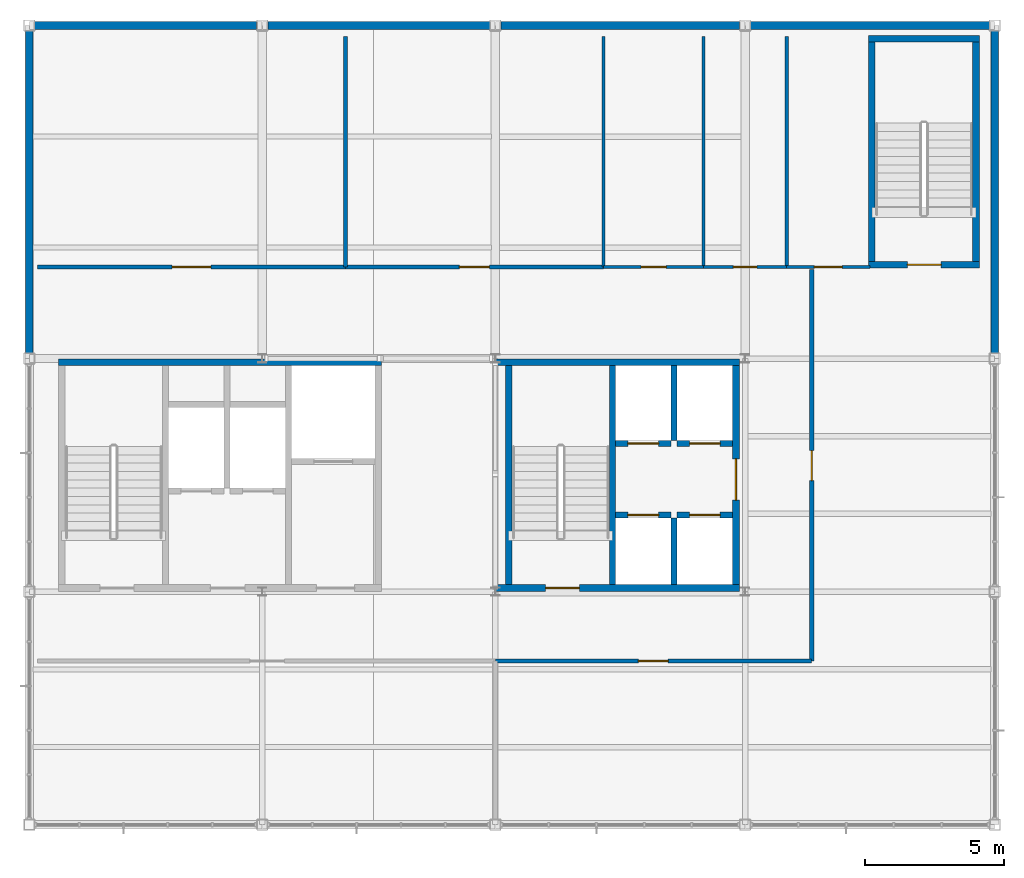
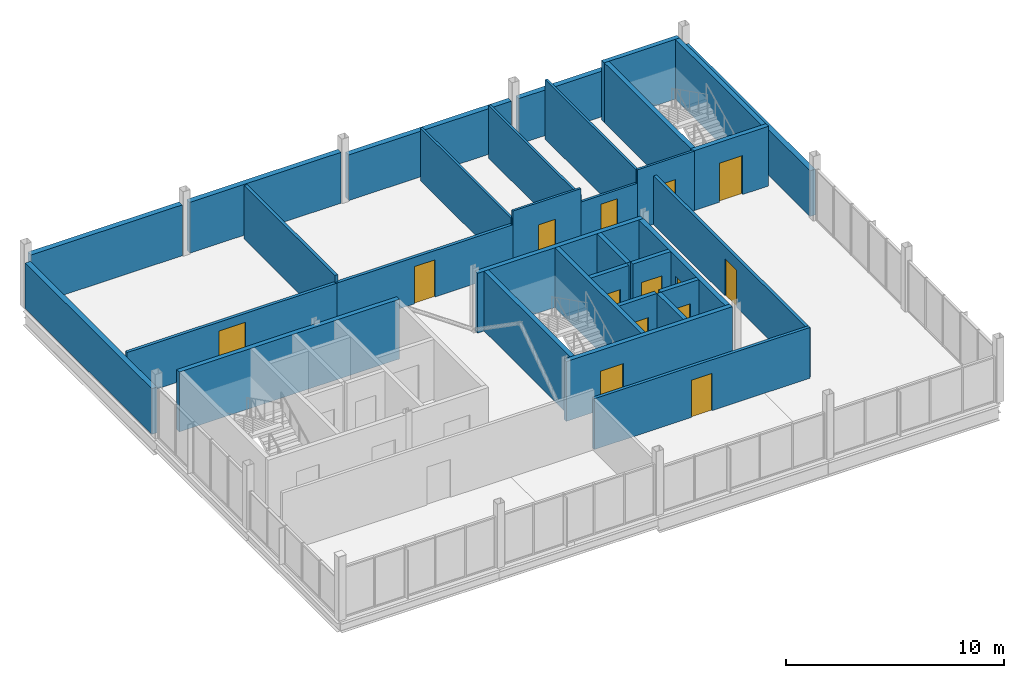
# One storey, part 12 of 15: 33 walls, 14 doors, 14 openings.
"""IFC4 building model written with IfcOpenShell, lengths in metres."""

from ifc_helpers import new_model, si_unit, direction, frame, frame_2d, origin, place, context, subcontext, project, spatial, rectangle, extrude, material, layer, layer_set, type_object, element, fill, save


model = new_model("IFC4")

# Units and contexts
model_context = context("Model", 3, precision=1e-05, world=origin(), true_north=direction((0.0, 1.0)))
body_context = subcontext(model_context, "Body", "Model", "MODEL_VIEW")
ifc_project = project(units=[si_unit("LENGTHUNIT", "METRE"), si_unit("AREAUNIT", "SQUARE_METRE"), si_unit("VOLUMEUNIT", "CUBIC_METRE"), si_unit("PLANEANGLEUNIT", "RADIAN"), si_unit("MASSUNIT", "GRAM", prefix="KILO")], contexts=[model_context])

# Site, building, storey
site_placement = place(None, origin())
site = spatial("IfcSite", under=ifc_project, at=site_placement, CompositionType="ELEMENT")
building_placement = place(site_placement, origin())
building = spatial("IfcBuilding", under=site, at=building_placement, Name="Yukiwa Park Conservatory and Herbarium", CompositionType="ELEMENT")
storey_placement = place(building_placement, frame((0.0, 0.0, 54.0)))
storey = spatial("IfcBuildingStorey", under=building, at=storey_placement, Name="L14", CompositionType="ELEMENT", Elevation=54.0)

# Walls
ifc_material_1 = material(Name="Concrete C40", Category="concrete")
ifc_layer_1 = layer(ifc_material_1, 0.219970703125)
ifc_layer_set_1 = layer_set([ifc_layer_1], Name="Concrete C40")
wall_type_1 = type_object("IfcWallType", Name="WL-CORE-RC220", PredefinedType="SHEAR", material=ifc_layer_set_1)
wall_1_placement = place(storey_placement, frame((154.219970703125, 95.050048828125, 0.0), z_axis=(0.0, 0.0, 1.0), x_axis=(0.0, 1.0, 0.0)))
element("IfcWall", 1, at=wall_1_placement, inside=storey, type_object=wall_type_1, Name="L14 core shear wall 798", PredefinedType="SHEAR", context=body_context, shape_type="SweptSolid", body=[
    extrude(rectangle(XDim=7.89990234375, YDim=0.219970703125, at=frame_2d((3.949951171875, 0.0))), origin(), (0.0, 0.0, 1.0), 3.343994140625),
])
wall_2_placement = place(storey_placement, frame((156.43994140625, 100.25, 0.0), z_axis=(0.0, 0.0, 1.0), x_axis=(0.0, 1.0, 0.0)))
element("IfcWall", 2, at=wall_2_placement, inside=storey, type_object=wall_type_1, Name="L14 core shear wall 800", PredefinedType="SHEAR", context=body_context, shape_type="SweptSolid", body=[
    extrude(rectangle(XDim=2.699951171875, YDim=0.219970703125, at=frame_2d((1.35009765625, 0.0))), origin(), (0.0, 0.0, 1.0), 3.343994140625),
])

# Wall, opening, door
wall_3_placement = place(storey_placement, frame((154.330078125, 100.139892578125, 0.0), z_axis=(0.0, 0.0, 1.0), x_axis=(1.0, 0.0, 0.0)))
wall_3 = element("IfcWall", 3, at=wall_3_placement, inside=storey, type_object=wall_type_1, Name="L14 core shear wall 801", PredefinedType="SHEAR", context=body_context, shape_type="SweptSolid", body=[
    extrude(rectangle(XDim=2.0, YDim=0.219970703125, at=frame_2d((1.0, 0.0))), origin(), (0.0, 0.0, 1.0), 3.343994140625),
])
opening_1_placement = place(wall_3_placement, frame((0.449951171875, 0.0, 0.0)))
opening_1 = element("IfcOpeningElement", 4, at=opening_1_placement, cuts=wall_3, Name="Opening LD-01", PredefinedType="OPENING", context=body_context, shape_type="SweptSolid", body=[
    extrude(rectangle(XDim=1.10009765625, YDim=2.14990234375, at=frame_2d((0.550048828125, 1.074951171875))), frame((0.0, 0.1201171875, 0.0), z_axis=(0.0, -1.0, 0.0), x_axis=(1.0, 0.0, 0.0)), (0.0, 0.0, 1.0), 0.239990234375),
])
ifc_material_2 = material(Name="Steel Q235B", Category="steel")
door_type_1 = type_object("IfcDoorType", Name="DR-LIFT-LD1100", OperationType="SLIDING_TO_LEFT", PredefinedType="DOOR", material=ifc_material_2)
door_1_placement = place(opening_1_placement, origin())
door_1 = element("IfcDoor", 5, at=door_1_placement, inside=storey, type_object=door_type_1, Name="L14 Passenger Lift LP1 sliding landing door", OperationType="SLIDING_TO_LEFT", OverallHeight=2.14990234375, OverallWidth=1.10009765625, PredefinedType="DOOR", context=body_context, shape_type="SweptSolid", body=[
    extrude(rectangle(XDim=1.10009765625, YDim=2.14990234375, at=frame_2d((0.550048828125, 1.074951171875))), frame((0.0, 0.02490234375, 0.0), z_axis=(0.0, -1.0, 0.0), x_axis=(1.0, 0.0, 0.0)), (0.0, 0.0, 1.0), 0.050048828125),
])
fill(opening_1, door_1)

wall_4_placement = place(storey_placement, frame((156.550048828125, 100.139892578125, 0.0), z_axis=(0.0, 0.0, 1.0), x_axis=(1.0, 0.0, 0.0)))
wall_4 = element("IfcWall", 6, at=wall_4_placement, inside=storey, type_object=wall_type_1, Name="L14 core shear wall 802", PredefinedType="SHEAR", context=body_context, shape_type="SweptSolid", body=[
    extrude(rectangle(XDim=2.0, YDim=0.219970703125, at=frame_2d((1.0, 0.0))), origin(), (0.0, 0.0, 1.0), 3.343994140625),
])
opening_2_placement = place(wall_4_placement, frame((0.449951171875, 0.0, 0.0)))
opening_2 = element("IfcOpeningElement", 7, at=opening_2_placement, cuts=wall_4, Name="Opening LD-01", PredefinedType="OPENING", context=body_context, shape_type="SweptSolid", body=[
    extrude(rectangle(XDim=1.10009765625, YDim=2.14990234375, at=frame_2d((0.550048828125, 1.074951171875))), frame((0.0, 0.1201171875, 0.0), z_axis=(0.0, -1.0, 0.0), x_axis=(1.0, 0.0, 0.0)), (0.0, 0.0, 1.0), 0.239990234375),
])
door_2_placement = place(opening_2_placement, origin())
door_2 = element("IfcDoor", 8, at=door_2_placement, inside=storey, type_object=door_type_1, Name="L14 Passenger Lift LP2 sliding landing door", OperationType="SLIDING_TO_LEFT", OverallHeight=2.14990234375, OverallWidth=1.10009765625, PredefinedType="DOOR", context=body_context, shape_type="SweptSolid", body=[
    extrude(rectangle(XDim=1.10009765625, YDim=2.14990234375, at=frame_2d((0.550048828125, 1.074951171875))), frame((0.0, 0.02490234375, 0.0), z_axis=(0.0, -1.0, 0.0), x_axis=(1.0, 0.0, 0.0)), (0.0, 0.0, 1.0), 0.050048828125),
])
fill(opening_2, door_2)

# Wall
wall_5_placement = place(storey_placement, frame((156.43994140625, 95.050048828125, 0.0), z_axis=(0.0, 0.0, 1.0), x_axis=(0.0, 1.0, 0.0)))
element("IfcWall", 9, at=wall_5_placement, inside=storey, type_object=wall_type_1, Name="L14 core shear wall 803", PredefinedType="SHEAR", context=body_context, shape_type="SweptSolid", body=[
    extrude(rectangle(XDim=2.39990234375, YDim=0.219970703125, at=frame_2d((1.199951171875, 0.0))), origin(), (0.0, 0.0, 1.0), 3.343994140625),
])

# Wall, opening, door
wall_6_placement = place(storey_placement, frame((154.330078125, 97.56005859375, 0.0), z_axis=(0.0, 0.0, 1.0), x_axis=(1.0, 0.0, 0.0)))
wall_6 = element("IfcWall", 10, at=wall_6_placement, inside=storey, type_object=wall_type_1, Name="L14 core shear wall 804", PredefinedType="SHEAR", context=body_context, shape_type="SweptSolid", body=[
    extrude(rectangle(XDim=2.0, YDim=0.219970703125, at=frame_2d((1.0, 0.0))), origin(), (0.0, 0.0, 1.0), 3.343994140625),
])
opening_3_placement = place(wall_6_placement, frame((0.449951171875, 0.0, 0.0)))
opening_3 = element("IfcOpeningElement", 11, at=opening_3_placement, cuts=wall_6, Name="Opening LD-01", PredefinedType="OPENING", context=body_context, shape_type="SweptSolid", body=[
    extrude(rectangle(XDim=1.10009765625, YDim=2.14990234375, at=frame_2d((0.550048828125, 1.074951171875))), frame((0.0, 0.1201171875, 0.0), z_axis=(0.0, -1.0, 0.0), x_axis=(1.0, 0.0, 0.0)), (0.0, 0.0, 1.0), 0.239990234375),
])
door_3_placement = place(opening_3_placement, origin())
door_3 = element("IfcDoor", 12, at=door_3_placement, inside=storey, type_object=door_type_1, Name="L14 Passenger Lift LP3 sliding landing door", OperationType="SLIDING_TO_LEFT", OverallHeight=2.14990234375, OverallWidth=1.10009765625, PredefinedType="DOOR", context=body_context, shape_type="SweptSolid", body=[
    extrude(rectangle(XDim=1.10009765625, YDim=2.14990234375, at=frame_2d((0.550048828125, 1.074951171875))), frame((0.0, 0.02490234375, 0.0), z_axis=(0.0, -1.0, 0.0), x_axis=(1.0, 0.0, 0.0)), (0.0, 0.0, 1.0), 0.050048828125),
])
fill(opening_3, door_3)

wall_7_placement = place(storey_placement, frame((156.550048828125, 97.56005859375, 0.0), z_axis=(0.0, 0.0, 1.0), x_axis=(1.0, 0.0, 0.0)))
wall_7 = element("IfcWall", 13, at=wall_7_placement, inside=storey, type_object=wall_type_1, Name="L14 core shear wall 805", PredefinedType="SHEAR", context=body_context, shape_type="SweptSolid", body=[
    extrude(rectangle(XDim=2.0, YDim=0.219970703125, at=frame_2d((1.0, 0.0))), origin(), (0.0, 0.0, 1.0), 3.343994140625),
])
opening_4_placement = place(wall_7_placement, frame((0.449951171875, 0.0, 0.0)))
opening_4 = element("IfcOpeningElement", 14, at=opening_4_placement, cuts=wall_7, Name="Opening LD-01", PredefinedType="OPENING", context=body_context, shape_type="SweptSolid", body=[
    extrude(rectangle(XDim=1.10009765625, YDim=2.14990234375, at=frame_2d((0.550048828125, 1.074951171875))), frame((0.0, 0.1201171875, 0.0), z_axis=(0.0, -1.0, 0.0), x_axis=(1.0, 0.0, 0.0)), (0.0, 0.0, 1.0), 0.239990234375),
])
door_4_placement = place(opening_4_placement, origin())
door_4 = element("IfcDoor", 15, at=door_4_placement, inside=storey, type_object=door_type_1, Name="L14 Passenger Lift LP4 sliding landing door", OperationType="SLIDING_TO_LEFT", OverallHeight=2.14990234375, OverallWidth=1.10009765625, PredefinedType="DOOR", context=body_context, shape_type="SweptSolid", body=[
    extrude(rectangle(XDim=1.10009765625, YDim=2.14990234375, at=frame_2d((0.550048828125, 1.074951171875))), frame((0.0, 0.02490234375, 0.0), z_axis=(0.0, -1.0, 0.0), x_axis=(1.0, 0.0, 0.0)), (0.0, 0.0, 1.0), 0.050048828125),
])
fill(opening_4, door_4)

# Wall
ifc_material_3 = material(Name="Concrete C50", Category="concrete")
ifc_layer_2 = layer(ifc_material_3, 0.239990234375)
ifc_layer_set_2 = layer_set([ifc_layer_2], Name="Concrete C50")
wall_type_2 = type_object("IfcWallType", Name="WL-CORE-RC240", PredefinedType="SHEAR", material=ifc_layer_set_2)
wall_8_placement = place(storey_placement, frame((134.25, 103.070068359375, 0.0), z_axis=(0.0, 0.0, 1.0), x_axis=(1.0, 0.0, 0.0)))
element("IfcWall", 16, at=wall_8_placement, inside=storey, type_object=wall_type_2, Name="L14 core shear wall 784", PredefinedType="SHEAR", context=body_context, shape_type="SweptSolid", body=[
    extrude(rectangle(XDim=11.64990234375, YDim=0.239990234375, at=frame_2d((5.824951171875, 0.0))), origin(), (0.0, 0.0, 1.0), 3.343994140625),
])

# Wall, opening, door
wall_9_placement = place(storey_placement, frame((150.02001953125, 94.929931640625, 0.0), z_axis=(0.0, 0.0, 1.0), x_axis=(1.0, 0.0, 0.0)))
wall_9 = element("IfcWall", 17, at=wall_9_placement, inside=storey, type_object=wall_type_2, Name="L14 core shear wall 795", PredefinedType="SHEAR", context=body_context, shape_type="SweptSolid", body=[
    extrude(rectangle(XDim=8.77001953125, YDim=0.239990234375, at=frame_2d((4.385009765625, 0.0))), origin(), (0.0, 0.0, 1.0), 3.343994140625),
])
opening_5_placement = place(wall_9_placement, frame((1.7900390625, 0.0, 0.0)))
opening_5 = element("IfcOpeningElement", 18, at=opening_5_placement, cuts=wall_9, Name="Opening SD-01", PredefinedType="OPENING", context=body_context, shape_type="SweptSolid", body=[
    extrude(rectangle(XDim=1.219970703125, YDim=2.179931640625, at=frame_2d((0.60986328125, 1.08984375))), frame((0.0, 0.1298828125, 0.0), z_axis=(0.0, -1.0, 0.0), x_axis=(1.0, 0.0, 0.0)), (0.0, 0.0, 1.0), 0.260009765625),
])
ifc_material_4 = material(Name="Steel Q235B", Category="steel")
door_type_2 = type_object("IfcDoorType", Name="DR-STAIR-FD90-1200", OperationType="SINGLE_SWING_LEFT", PredefinedType="DOOR", material=ifc_material_4)
door_5_placement = place(opening_5_placement, origin())
door_5 = element("IfcDoor", 19, at=door_5_placement, inside=storey, type_object=door_type_2, Name="L14 Stairwell ST-T2 fire door", OperationType="SINGLE_SWING_LEFT", OverallHeight=2.179931640625, OverallWidth=1.219970703125, PredefinedType="DOOR", context=body_context, shape_type="SweptSolid", body=[
    extrude(rectangle(XDim=1.219970703125, YDim=2.179931640625, at=frame_2d((0.60986328125, 1.08984375))), frame((0.0, 0.02490234375, 0.0), z_axis=(0.0, -1.0, 0.0), x_axis=(1.0, 0.0, 0.0)), (0.0, 0.0, 1.0), 0.050048828125),
])
fill(opening_5, door_5)

# Walls
wall_10_placement = place(storey_placement, frame((150.02001953125, 103.070068359375, 0.0), z_axis=(0.0, 0.0, 1.0), x_axis=(1.0, 0.0, 0.0)))
element("IfcWall", 20, at=wall_10_placement, inside=storey, type_object=wall_type_2, Name="L14 core shear wall 796", PredefinedType="SHEAR", context=body_context, shape_type="SweptSolid", body=[
    extrude(rectangle(XDim=8.77001953125, YDim=0.239990234375, at=frame_2d((4.385009765625, 0.0))), origin(), (0.0, 0.0, 1.0), 3.343994140625),
])
wall_11_placement = place(storey_placement, frame((150.47998046875, 95.050048828125, 0.0), z_axis=(0.0, 0.0, 1.0), x_axis=(0.0, 1.0, 0.0)))
element("IfcWall", 21, at=wall_11_placement, inside=storey, type_object=wall_type_2, Name="L14 core shear wall 797", PredefinedType="SHEAR", context=body_context, shape_type="SweptSolid", body=[
    extrude(rectangle(XDim=7.89990234375, YDim=0.239990234375, at=frame_2d((3.949951171875, 0.0))), origin(), (0.0, 0.0, 1.0), 3.343994140625),
])

# Wall, opening, door
wall_12_placement = place(storey_placement, frame((158.669921875, 95.050048828125, 0.0), z_axis=(0.0, 0.0, 1.0), x_axis=(0.0, 1.0, 0.0)))
wall_12 = element("IfcWall", 22, at=wall_12_placement, inside=storey, type_object=wall_type_2, Name="L14 core shear wall 799", PredefinedType="SHEAR", context=body_context, shape_type="SweptSolid", body=[
    extrude(rectangle(XDim=7.89990234375, YDim=0.239990234375, at=frame_2d((3.949951171875, 0.0))), origin(), (0.0, 0.0, 1.0), 3.343994140625),
])
opening_6_placement = place(wall_12_placement, frame((3.050048828125, 0.0, 0.0)))
opening_6 = element("IfcOpeningElement", 23, at=opening_6_placement, cuts=wall_12, Name="Opening FD-07", PredefinedType="OPENING", context=body_context, shape_type="SweptSolid", body=[
    extrude(rectangle(XDim=1.47998046875, YDim=2.219970703125, at=frame_2d((0.739990234375, 1.10986328125))), frame((0.0, 0.1298828125, 0.0), z_axis=(0.0, -1.0, 0.0), x_axis=(1.0, 0.0, 0.0)), (0.0, 0.0, 1.0), 0.260009765625),
])
ifc_material_5 = material(Name="Steel Q235B", Category="steel")
door_type_3 = type_object("IfcDoorType", Name="DR-FIRE-FD60-1500", OperationType="DOUBLE_DOOR_SINGLE_SWING", PredefinedType="DOOR", material=ifc_material_5)
door_6_placement = place(opening_6_placement, origin())
door_6 = element("IfcDoor", 24, at=door_6_placement, inside=storey, type_object=door_type_3, Name="L14 Tower Passenger Lift Lobby double fire door", OperationType="DOUBLE_DOOR_SINGLE_SWING", OverallHeight=2.219970703125, OverallWidth=1.47998046875, PredefinedType="DOOR", context=body_context, shape_type="SweptSolid", body=[
    extrude(rectangle(XDim=1.47998046875, YDim=2.219970703125, at=frame_2d((0.739990234375, 1.10986328125))), frame((0.0, 0.02490234375, 0.0), z_axis=(0.0, -1.0, 0.0), x_axis=(1.0, 0.0, 0.0)), (0.0, 0.0, 1.0), 0.050048828125),
])
fill(opening_6, door_6)

wall_13_placement = place(storey_placement, frame((163.449951171875, 106.580078125, 0.0), z_axis=(0.0, 0.0, 1.0), x_axis=(1.0, 0.0, 0.0)))
wall_13 = element("IfcWall", 25, at=wall_13_placement, inside=storey, type_object=wall_type_2, Name="L14 core shear wall 806", PredefinedType="SHEAR", context=body_context, shape_type="SweptSolid", body=[
    extrude(rectangle(XDim=3.989990234375, YDim=0.239990234375, at=frame_2d((1.9951171875, 0.0))), origin(), (0.0, 0.0, 1.0), 3.343994140625),
])
opening_7_placement = place(wall_13_placement, frame((1.39501953125, 0.0, 0.0)))
opening_7 = element("IfcOpeningElement", 26, at=opening_7_placement, cuts=wall_13, Name="Opening SD-01", PredefinedType="OPENING", context=body_context, shape_type="SweptSolid", body=[
    extrude(rectangle(XDim=1.219970703125, YDim=2.179931640625, at=frame_2d((0.60986328125, 1.08984375))), frame((0.0, 0.1298828125, 0.0), z_axis=(0.0, -1.0, 0.0), x_axis=(1.0, 0.0, 0.0)), (0.0, 0.0, 1.0), 0.260009765625),
])
door_7_placement = place(opening_7_placement, origin())
door_7 = element("IfcDoor", 27, at=door_7_placement, inside=storey, type_object=door_type_2, Name="L14 Stairwell ST-T3 fire door", OperationType="SINGLE_SWING_LEFT", OverallHeight=2.179931640625, OverallWidth=1.219970703125, PredefinedType="DOOR", context=body_context, shape_type="SweptSolid", body=[
    extrude(rectangle(XDim=1.219970703125, YDim=2.179931640625, at=frame_2d((0.60986328125, 1.08984375))), frame((0.0, 0.02490234375, 0.0), z_axis=(0.0, -1.0, 0.0), x_axis=(1.0, 0.0, 0.0)), (0.0, 0.0, 1.0), 0.050048828125),
])
fill(opening_7, door_7)

# Walls
wall_14_placement = place(storey_placement, frame((163.449951171875, 114.719970703125, 0.0), z_axis=(0.0, 0.0, 1.0), x_axis=(1.0, 0.0, 0.0)))
element("IfcWall", 28, at=wall_14_placement, inside=storey, type_object=wall_type_2, Name="L14 core shear wall 807", PredefinedType="SHEAR", context=body_context, shape_type="SweptSolid", body=[
    extrude(rectangle(XDim=3.989990234375, YDim=0.239990234375, at=frame_2d((1.9951171875, 0.0))), origin(), (0.0, 0.0, 1.0), 3.343994140625),
])
for number, where, z_axis, x_axis, name in (
    (29, (163.570068359375, 106.699951171875, 0.0), (0.0, 0.0, 1.0), (0.0, 1.0, 0.0), "L14 core shear wall 808"),
    (30, (167.320068359375, 106.699951171875, 0.0), (0.0, 0.0, 1.0), (0.0, 1.0, 0.0), "L14 core shear wall 809"),
):
    element("IfcWall", number, at=place(storey_placement, frame(where, z_axis=z_axis, x_axis=x_axis)), inside=storey, type_object=wall_type_2, Name=name, PredefinedType="SHEAR", context=body_context, shape_type="SweptSolid", body=[
        extrude(rectangle(XDim=7.900146484375, YDim=0.239990234375, at=frame_2d((3.9501953125, 0.0))), origin(), (0.0, 0.0, 1.0), 3.343994140625),
    ])
ifc_material_6 = material(Name="Pale Granite Cladding", Category="masonry")
ifc_layer_3 = layer(ifc_material_6, 0.280029296875)
ifc_layer_set_3 = layer_set([ifc_layer_3], Name="Pale Granite Cladding")
wall_type_3 = type_object("IfcWallType", Name="WL-EXT-GRAN-280", PredefinedType="SOLIDWALL", material=ifc_layer_set_3)
wall_15_placement = place(storey_placement, frame((168.0, 103.39990234375, 0.0), z_axis=(0.0, 0.0, 1.0), x_axis=(0.0, 1.0, 0.0)))
element("IfcWall", 31, at=wall_15_placement, inside=storey, type_object=wall_type_3, Name="L14 exterior envelope wall 388", PredefinedType="SOLIDWALL", context=body_context, shape_type="SweptSolid", body=[
    extrude(rectangle(XDim=11.60009765625, YDim=0.280029296875, at=frame_2d((5.800048828125, 0.0))), origin(), (0.0, 0.0, 1.0), 2.552001953125),
])
for number, where, z_axis, x_axis, name in (
    (32, (167.800048828125, 115.199951171875, 0.0), (0.0, 0.0, 1.0), (-1.0, 0.0, 0.0), "L14 exterior envelope wall 389"),
    (33, (158.800048828125, 115.199951171875, 0.0), (0.0, 0.0, 1.0), (-1.0, 0.0, 0.0), "L14 exterior envelope wall 390"),
):
    element("IfcWall", number, at=place(storey_placement, frame(where, z_axis=z_axis, x_axis=x_axis)), inside=storey, type_object=wall_type_3, Name=name, PredefinedType="SOLIDWALL", context=body_context, shape_type="SweptSolid", body=[
        extrude(rectangle(XDim=8.60009765625, YDim=0.280029296875, at=frame_2d((4.300048828125, 0.0))), origin(), (0.0, 0.0, 1.0), 2.552001953125),
    ])
for number, where, z_axis, x_axis, name in (
    (34, (149.800048828125, 115.199951171875, 0.0), (0.0, 0.0, 1.0), (-1.0, 0.0, 0.0), "L14 exterior envelope wall 391"),
    (35, (141.39990234375, 115.199951171875, 0.0), (0.0, 0.0, 1.0), (-1.0, 0.0, 0.0), "L14 exterior envelope wall 392"),
):
    element("IfcWall", number, at=place(storey_placement, frame(where, z_axis=z_axis, x_axis=x_axis)), inside=storey, type_object=wall_type_3, Name=name, PredefinedType="SOLIDWALL", context=body_context, shape_type="SweptSolid", body=[
        extrude(rectangle(XDim=8.0, YDim=0.280029296875, at=frame_2d((4.0, 0.0))), origin(), (0.0, 0.0, 1.0), 2.843994140625),
    ])
wall_16_placement = place(storey_placement, frame((133.199951171875, 115.0, 0.0), z_axis=(0.0, 0.0, 1.0), x_axis=(0.0, -1.0, 0.0)))
element("IfcWall", 36, at=wall_16_placement, inside=storey, type_object=wall_type_3, Name="L14 exterior envelope wall 393", PredefinedType="SOLIDWALL", context=body_context, shape_type="SweptSolid", body=[
    extrude(rectangle(XDim=11.60009765625, YDim=0.280029296875, at=frame_2d((5.800048828125, 0.0))), origin(), (0.0, 0.0, 1.0), 2.552001953125),
])

# Wall, opening, door
ifc_material_7 = material(Name="Gypsum Board Partition", Category="gypsum")
ifc_layer_4 = layer(ifc_material_7, 0.159912109375)
ifc_layer_set_4 = layer_set([ifc_layer_4], Name="Gypsum Board Partition")
wall_type_4 = type_object("IfcWallType", Name="WL-PART-GYP-160", PredefinedType="PARTITIONING", material=ifc_layer_set_4)
wall_17_placement = place(storey_placement, frame((161.39990234375, 92.300048828125, 0.0), z_axis=(0.0, 0.0, 1.0), x_axis=(0.0, 1.0, 0.0)))
wall_17 = element("IfcWall", 37, at=wall_17_placement, inside=storey, type_object=wall_type_4, Name="L14 interior partition wall 816", PredefinedType="PARTITIONING", context=body_context, shape_type="SweptSolid", body=[
    extrude(rectangle(XDim=14.099853515625, YDim=0.159912109375, at=frame_2d((7.0498046875, 0.0))), origin(), (0.0, 0.0, 1.0), 2.748046875),
])
opening_8_placement = place(wall_17_placement, frame((6.5, 0.0, 0.0)))
opening_8 = element("IfcOpeningElement", 38, at=opening_8_placement, cuts=wall_17, Name="Opening ID-11", PredefinedType="OPENING", context=body_context, shape_type="SweptSolid", body=[
    extrude(rectangle(XDim=1.080078125, YDim=2.080078125, at=frame_2d((0.5400390625, 1.0400390625))), frame((0.0, 0.08984375, 0.0), z_axis=(0.0, -1.0, 0.0), x_axis=(1.0, 0.0, 0.0)), (0.0, 0.0, 1.0), 0.179931640625),
])
ifc_material_8 = material(Name="Charred Larch Cladding", Category="wood")
door_type_4 = type_object("IfcDoorType", Name="DR-INT-1100", OperationType="SINGLE_SWING_RIGHT", PredefinedType="DOOR", material=ifc_material_8)
door_8_placement = place(opening_8_placement, origin())
door_8 = element("IfcDoor", 39, at=door_8_placement, inside=storey, type_object=door_type_4, Name="L14 L14 east room door", OperationType="SINGLE_SWING_RIGHT", OverallHeight=2.080078125, OverallWidth=1.080078125, PredefinedType="DOOR", context=body_context, shape_type="SweptSolid", body=[
    extrude(rectangle(XDim=1.080078125, YDim=2.080078125, at=frame_2d((0.5400390625, 1.0400390625))), frame((0.0, 0.02490234375, 0.0), z_axis=(0.0, -1.0, 0.0), x_axis=(1.0, 0.0, 0.0)), (0.0, 0.0, 1.0), 0.050048828125),
])
fill(opening_8, door_8)

wall_18_placement = place(storey_placement, frame((150.0, 92.300048828125, 0.0), z_axis=(0.0, 0.0, 1.0), x_axis=(1.0, 0.0, 0.0)))
wall_18 = element("IfcWall", 40, at=wall_18_placement, inside=storey, type_object=wall_type_4, Name="L14 interior partition wall 818", PredefinedType="PARTITIONING", context=body_context, shape_type="SweptSolid", body=[
    extrude(rectangle(XDim=11.39990234375, YDim=0.159912109375, at=frame_2d((5.699951171875, 0.0))), origin(), (0.0, 0.0, 1.0), 2.843994140625),
])
opening_9_placement = place(wall_18_placement, frame((5.14990234375, 0.0, 0.0)))
opening_9 = element("IfcOpeningElement", 41, at=opening_9_placement, cuts=wall_18, Name="Opening ID-11", PredefinedType="OPENING", context=body_context, shape_type="SweptSolid", body=[
    extrude(rectangle(XDim=1.080078125, YDim=2.080078125, at=frame_2d((0.5400390625, 1.0400390625))), frame((0.0, 0.08984375, 0.0), z_axis=(0.0, -1.0, 0.0), x_axis=(1.0, 0.0, 0.0)), (0.0, 0.0, 1.0), 0.179931640625),
])
door_9_placement = place(opening_9_placement, origin())
door_9 = element("IfcDoor", 42, at=door_9_placement, inside=storey, type_object=door_type_4, Name="L14 Seminar Room door", OperationType="SINGLE_SWING_RIGHT", OverallHeight=2.080078125, OverallWidth=1.080078125, PredefinedType="DOOR", context=body_context, shape_type="SweptSolid", body=[
    extrude(rectangle(XDim=1.080078125, YDim=2.080078125, at=frame_2d((0.5400390625, 1.0400390625))), frame((0.0, 0.02490234375, 0.0), z_axis=(0.0, -1.0, 0.0), x_axis=(1.0, 0.0, 0.0)), (0.0, 0.0, 1.0), 0.050048828125),
])
fill(opening_9, door_9)

wall_19_placement = place(storey_placement, frame((133.5, 106.5, 0.0), z_axis=(0.0, 0.0, 1.0), x_axis=(1.0, 0.0, 0.0)))
wall_19 = element("IfcWall", 43, at=wall_19_placement, inside=storey, type_object=wall_type_4, Name="L14 interior partition wall 820", PredefinedType="PARTITIONING", context=body_context, shape_type="SweptSolid", body=[
    extrude(rectangle(XDim=11.10009765625, YDim=0.159912109375, at=frame_2d((5.550048828125, 0.0))), origin(), (0.0, 0.0, 1.0), 2.593994140625),
])
opening_10_placement = place(wall_19_placement, frame((4.85009765625, 0.0, 0.0)))
opening_10 = element("IfcOpeningElement", 44, at=opening_10_placement, cuts=wall_19, Name="Opening GD-14", PredefinedType="OPENING", context=body_context, shape_type="SweptSolid", body=[
    extrude(rectangle(XDim=1.39990234375, YDim=2.10009765625, at=frame_2d((0.699951171875, 1.050048828125))), frame((0.0, 0.08984375, 0.0), z_axis=(0.0, -1.0, 0.0), x_axis=(1.0, 0.0, 0.0)), (0.0, 0.0, 1.0), 0.179931640625),
])
ifc_material_9 = material(Name="Laminated Tempered Safety Glass", Category="glass")
door_type_5 = type_object("IfcDoorType", Name="DR-GLZ-1400", OperationType="DOUBLE_DOOR_SINGLE_SWING", PredefinedType="DOOR", material=ifc_material_9)
door_10_placement = place(opening_10_placement, origin())
door_10 = element("IfcDoor", 45, at=door_10_placement, inside=storey, type_object=door_type_5, Name="L14 Periodicals Library door", OperationType="DOUBLE_DOOR_SINGLE_SWING", OverallHeight=2.10009765625, OverallWidth=1.39990234375, PredefinedType="DOOR", context=body_context, shape_type="SweptSolid", body=[
    extrude(rectangle(XDim=1.39990234375, YDim=2.10009765625, at=frame_2d((0.699951171875, 1.050048828125))), frame((0.0, 0.02490234375, 0.0), z_axis=(0.0, -1.0, 0.0), x_axis=(1.0, 0.0, 0.0)), (0.0, 0.0, 1.0), 0.050048828125),
])
fill(opening_10, door_10)

wall_20_placement = place(storey_placement, frame((144.60009765625, 106.5, 0.0), z_axis=(0.0, 0.0, 1.0), x_axis=(1.0, 0.0, 0.0)))
wall_20 = element("IfcWall", 46, at=wall_20_placement, inside=storey, type_object=wall_type_4, Name="L14 interior partition wall 821", PredefinedType="PARTITIONING", context=body_context, shape_type="SweptSolid", body=[
    extrude(rectangle(XDim=9.2998046875, YDim=0.159912109375, at=frame_2d((4.64990234375, 0.0))), origin(), (0.0, 0.0, 1.0), 2.593994140625),
])
opening_11_placement = place(wall_20_placement, frame((4.10009765625, 0.0, 0.0)))
opening_11 = element("IfcOpeningElement", 47, at=opening_11_placement, cuts=wall_20, Name="Opening ID-11", PredefinedType="OPENING", context=body_context, shape_type="SweptSolid", body=[
    extrude(rectangle(XDim=1.080078125, YDim=2.080078125, at=frame_2d((0.5400390625, 1.0400390625))), frame((0.0, 0.08984375, 0.0), z_axis=(0.0, -1.0, 0.0), x_axis=(1.0, 0.0, 0.0)), (0.0, 0.0, 1.0), 0.179931640625),
])
door_11_placement = place(opening_11_placement, origin())
door_11 = element("IfcDoor", 48, at=door_11_placement, inside=storey, type_object=door_type_4, Name="L14 Directorate Office door", OperationType="SINGLE_SWING_RIGHT", OverallHeight=2.080078125, OverallWidth=1.080078125, PredefinedType="DOOR", context=body_context, shape_type="SweptSolid", body=[
    extrude(rectangle(XDim=1.080078125, YDim=2.080078125, at=frame_2d((0.5400390625, 1.0400390625))), frame((0.0, 0.02490234375, 0.0), z_axis=(0.0, -1.0, 0.0), x_axis=(1.0, 0.0, 0.0)), (0.0, 0.0, 1.0), 0.050048828125),
])
fill(opening_11, door_11)

# Wall
wall_21_placement = place(storey_placement, frame((144.60009765625, 106.5, 0.0), z_axis=(0.0, 0.0, 1.0), x_axis=(0.0, 1.0, 0.0)))
element("IfcWall", 49, at=wall_21_placement, inside=storey, type_object=wall_type_4, Name="L14 interior partition wall 822", PredefinedType="PARTITIONING", context=body_context, shape_type="SweptSolid", body=[
    extrude(rectangle(XDim=8.300048828125, YDim=0.159912109375, at=frame_2d((4.14990234375, 0.0))), origin(), (0.0, 0.0, 1.0), 2.993896484375),
])

# Wall, opening, door
ifc_material_10 = material(Name="Gypsum Board Partition", Category="gypsum")
ifc_layer_5 = layer(ifc_material_10, 0.1201171875)
ifc_layer_set_5 = layer_set([ifc_layer_5], Name="Gypsum Board Partition")
wall_type_5 = type_object("IfcWallType", Name="WL-PART-WET-150", PredefinedType="PARTITIONING", material=ifc_layer_set_5)
wall_22_placement = place(storey_placement, frame((153.89990234375, 106.5, 0.0), z_axis=(0.0, 0.0, 1.0), x_axis=(1.0, 0.0, 0.0)))
wall_22 = element("IfcWall", 50, at=wall_22_placement, inside=storey, type_object=wall_type_5, Name="L14 interior partition wall 810", PredefinedType="PARTITIONING", context=body_context, shape_type="SweptSolid", body=[
    extrude(rectangle(XDim=3.60009765625, YDim=0.1201171875, at=frame_2d((1.800048828125, 0.0))), origin(), (0.0, 0.0, 1.0), 3.343994140625),
])
opening_12_placement = place(wall_22_placement, frame((1.35009765625, 0.0, 0.0)))
opening_12 = element("IfcOpeningElement", 51, at=opening_12_placement, cuts=wall_22, Name="Opening ID-09", PredefinedType="OPENING", context=body_context, shape_type="SweptSolid", body=[
    extrude(rectangle(XDim=0.89990234375, YDim=2.10009765625, at=frame_2d((0.449951171875, 1.050048828125))), frame((0.0, 0.070068359375, 0.0), z_axis=(0.0, -1.0, 0.0), x_axis=(1.0, 0.0, 0.0)), (0.0, 0.0, 1.0), 0.14013671875),
])
ifc_material_11 = material(Name="Charred Larch Cladding", Category="wood")
door_type_6 = type_object("IfcDoorType", Name="DR-INT-900", OperationType="SINGLE_SWING_LEFT", PredefinedType="DOOR", material=ifc_material_11)
door_12_placement = place(opening_12_placement, origin())
door_12 = element("IfcDoor", 52, at=door_12_placement, inside=storey, type_object=door_type_6, Name="L14 Public WC door", OperationType="SINGLE_SWING_LEFT", OverallHeight=2.10009765625, OverallWidth=0.89990234375, PredefinedType="DOOR", context=body_context, shape_type="SweptSolid", body=[
    extrude(rectangle(XDim=0.89990234375, YDim=2.10009765625, at=frame_2d((0.449951171875, 1.050048828125))), frame((0.0, 0.02490234375, 0.0), z_axis=(0.0, -1.0, 0.0), x_axis=(1.0, 0.0, 0.0)), (0.0, 0.0, 1.0), 0.050048828125),
])
fill(opening_12, door_12)

wall_23_placement = place(storey_placement, frame((157.5, 106.5, 0.0), z_axis=(0.0, 0.0, 1.0), x_axis=(1.0, 0.0, 0.0)))
wall_23 = element("IfcWall", 53, at=wall_23_placement, inside=storey, type_object=wall_type_5, Name="L14 interior partition wall 811", PredefinedType="PARTITIONING", context=body_context, shape_type="SweptSolid", body=[
    extrude(rectangle(XDim=3.0, YDim=0.1201171875, at=frame_2d((1.5, 0.0))), origin(), (0.0, 0.0, 1.0), 2.593994140625),
])
opening_13_placement = place(wall_23_placement, frame((1.074951171875, 0.0, 0.0)))
opening_13 = element("IfcOpeningElement", 54, at=opening_13_placement, cuts=wall_23, Name="Opening ID-85", PredefinedType="OPENING", context=body_context, shape_type="SweptSolid", body=[
    extrude(rectangle(XDim=0.85009765625, YDim=2.10009765625, at=frame_2d((0.425048828125, 1.050048828125))), frame((0.0, 0.070068359375, 0.0), z_axis=(0.0, -1.0, 0.0), x_axis=(1.0, 0.0, 0.0)), (0.0, 0.0, 1.0), 0.14013671875),
])
ifc_material_12 = material(Name="Charred Larch Cladding", Category="wood")
door_type_7 = type_object("IfcDoorType", Name="DR-INT-850", OperationType="SINGLE_SWING_RIGHT", PredefinedType="DOOR", material=ifc_material_12)
door_13_placement = place(opening_13_placement, origin())
door_13 = element("IfcDoor", 55, at=door_13_placement, inside=storey, type_object=door_type_7, Name="L14 Staff WC door", OperationType="SINGLE_SWING_RIGHT", OverallHeight=2.10009765625, OverallWidth=0.85009765625, PredefinedType="DOOR", context=body_context, shape_type="SweptSolid", body=[
    extrude(rectangle(XDim=0.85009765625, YDim=2.10009765625, at=frame_2d((0.425048828125, 1.050048828125))), frame((0.0, 0.02490234375, 0.0), z_axis=(0.0, -1.0, 0.0), x_axis=(1.0, 0.0, 0.0)), (0.0, 0.0, 1.0), 0.050048828125),
])
fill(opening_13, door_13)

wall_24_placement = place(storey_placement, frame((160.5, 106.5, 0.0), z_axis=(0.0, 0.0, 1.0), x_axis=(1.0, 0.0, 0.0)))
wall_24 = element("IfcWall", 56, at=wall_24_placement, inside=storey, type_object=wall_type_5, Name="L14 interior partition wall 812", PredefinedType="PARTITIONING", context=body_context, shape_type="SweptSolid", body=[
    extrude(rectangle(XDim=3.0, YDim=0.1201171875, at=frame_2d((1.5, 0.0))), origin(), (0.0, 0.0, 1.0), 3.343994140625),
])
opening_14_placement = place(wall_24_placement, frame((1.0, 0.0, 0.0)))
opening_14 = element("IfcOpeningElement", 57, at=opening_14_placement, cuts=wall_24, Name="Opening ID-10", PredefinedType="OPENING", context=body_context, shape_type="SweptSolid", body=[
    extrude(rectangle(XDim=1.0, YDim=2.10009765625, at=frame_2d((0.5, 1.050048828125))), frame((0.0, 0.070068359375, 0.0), z_axis=(0.0, -1.0, 0.0), x_axis=(1.0, 0.0, 0.0)), (0.0, 0.0, 1.0), 0.14013671875),
])
ifc_material_13 = material(Name="Charred Larch Cladding", Category="wood")
door_type_8 = type_object("IfcDoorType", Name="DR-ACC-1000", OperationType="SINGLE_SWING_LEFT", PredefinedType="DOOR", material=ifc_material_13)
door_14_placement = place(opening_14_placement, origin())
door_14 = element("IfcDoor", 58, at=door_14_placement, inside=storey, type_object=door_type_8, Name="L14 Accessible WC door", OperationType="SINGLE_SWING_LEFT", OverallHeight=2.10009765625, OverallWidth=1.0, PredefinedType="DOOR", context=body_context, shape_type="SweptSolid", body=[
    extrude(rectangle(XDim=1.0, YDim=2.10009765625, at=frame_2d((0.5, 1.050048828125))), frame((0.0, 0.02490234375, 0.0), z_axis=(0.0, -1.0, 0.0), x_axis=(1.0, 0.0, 0.0)), (0.0, 0.0, 1.0), 0.050048828125),
])
fill(opening_14, door_14)

# Walls
for number, where, z_axis, x_axis, name in (
    (59, (153.89990234375, 106.5, 0.0), (0.0, 0.0, 1.0), (0.0, 1.0, 0.0), "L14 interior partition wall 813"),
    (60, (157.5, 106.5, 0.0), (0.0, 0.0, 1.0), (0.0, 1.0, 0.0), "L14 interior partition wall 814"),
):
    element("IfcWall", number, at=place(storey_placement, frame(where, z_axis=z_axis, x_axis=x_axis)), inside=storey, type_object=wall_type_5, Name=name, PredefinedType="PARTITIONING", context=body_context, shape_type="SweptSolid", body=[
        extrude(rectangle(XDim=8.300048828125, YDim=0.1201171875, at=frame_2d((4.14990234375, 0.0))), origin(), (0.0, 0.0, 1.0), 2.944091796875),
    ])
wall_25_placement = place(storey_placement, frame((160.5, 106.5, 0.0), z_axis=(0.0, 0.0, 1.0), x_axis=(0.0, 1.0, 0.0)))
element("IfcWall", 61, at=wall_25_placement, inside=storey, type_object=wall_type_5, Name="L14 interior partition wall 815", PredefinedType="PARTITIONING", context=body_context, shape_type="SweptSolid", body=[
    extrude(rectangle(XDim=8.300048828125, YDim=0.1201171875, at=frame_2d((4.14990234375, 0.0))), origin(), (0.0, 0.0, 1.0), 3.343994140625),
])

save(model, "model.ifc")
